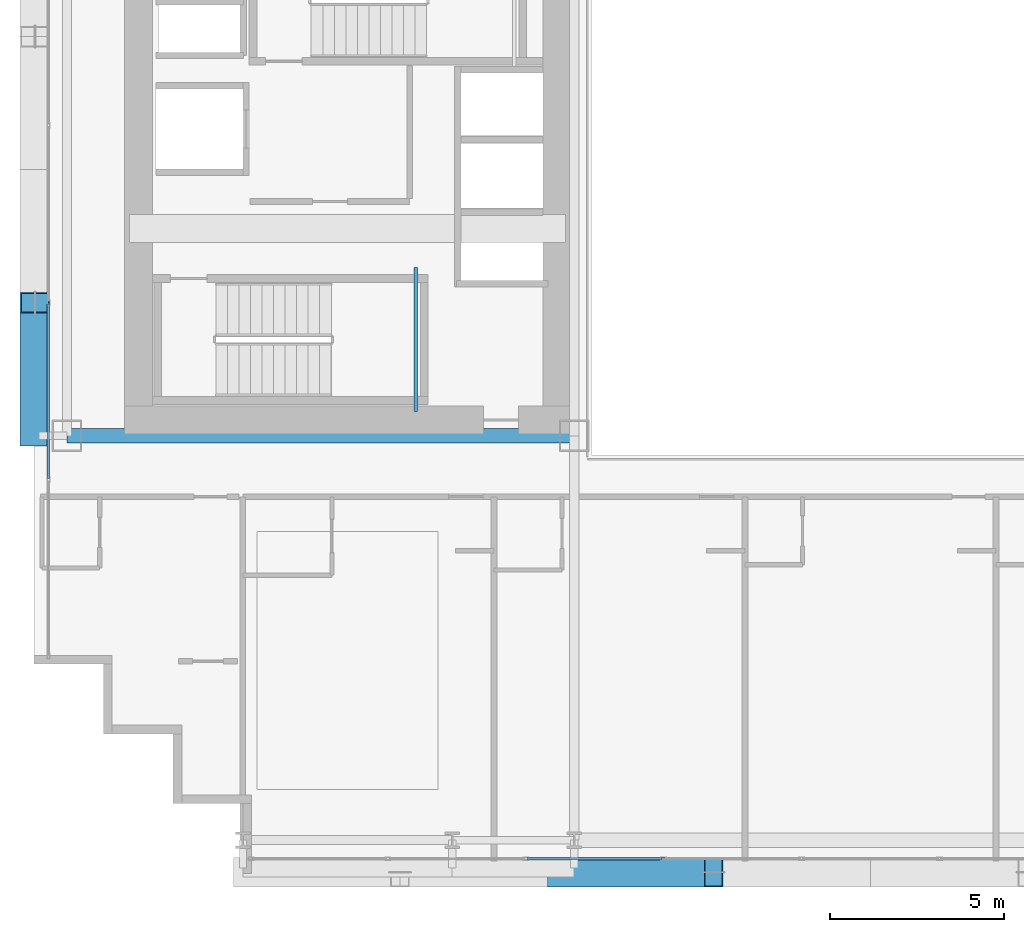
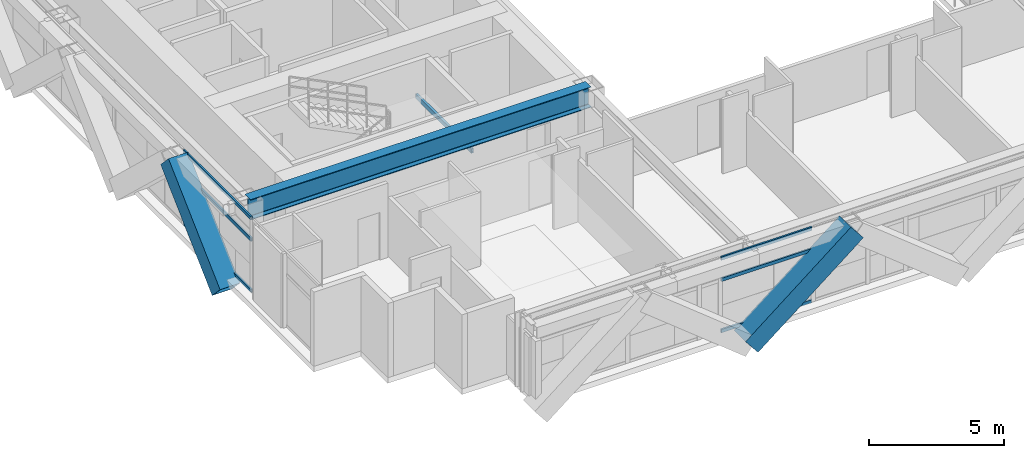
# One storey, part 4 of 35: 8 members, 2 beams, 2 elements without a shape of their own.
"""IFC4 building model written with IfcOpenShell, lengths in metres."""

from ifc_helpers import new_model, si_unit, direction, frame, origin, origin_2d, place, context, subcontext, project, spatial, hollow_rectangle, i_section, extrude, source, transform, mapped, material, layer, layer_set, material_profile, profile_set, type_object, element, aggregate, save


model = new_model("IFC4")

# Units and contexts
model_context = context("Model", 3, precision=1e-05, world=origin(), true_north=direction((0.0, 1.0)))
body_context = subcontext(model_context, "Body", "Model", "MODEL_VIEW")
ifc_project = project(units=[si_unit("LENGTHUNIT", "METRE"), si_unit("AREAUNIT", "SQUARE_METRE"), si_unit("VOLUMEUNIT", "CUBIC_METRE"), si_unit("PLANEANGLEUNIT", "RADIAN"), si_unit("MASSUNIT", "GRAM", prefix="KILO")], contexts=[model_context])

# Site, building, storey
site_placement = place(None, origin())
site = spatial("IfcSite", under=ifc_project, at=site_placement, CompositionType="ELEMENT")
building_placement = place(site_placement, origin())
building = spatial("IfcBuilding", under=site, at=building_placement, Name="Ocotamira Hotel", CompositionType="ELEMENT")
storey_placement = place(building_placement, frame((0.0, 0.0, 78.0)))
storey = spatial("IfcBuildingStorey", under=building, at=storey_placement, Name="L19", CompositionType="ELEMENT", Elevation=78.0)

# Beams
ifc_material_1 = material(Name="Steel ASTM A500 Grade C", Category="steel")
ifc_material_profile_1 = material_profile(ifc_material_1, hollow_rectangle(XDim=0.10009765625, YDim=0.199951171875, WallThickness=0.008056640625, at=origin_2d()), Name="HSS200X100X8")
ifc_profile_set_1 = profile_set([ifc_material_profile_1], Name="Steel ASTM A500 Grade C")
beam_type_1 = type_object("IfcBeamType", Name="BM-STLDG-HSS200", PredefinedType="BEAM", material=ifc_profile_set_1)
shared_shape_1 = source(origin(), body_context, "Body", "SweptSolid", [
    extrude(hollow_rectangle(XDim=0.10009765625, YDim=0.199951171875, WallThickness=0.008056640625, at=origin_2d()), origin(), (0.0, 0.0, 1.0), 4.1201171875),
])
beam_1_placement = place(storey_placement, frame((18.949951171875, 15.25, 1.5), z_axis=(0.0, 1.0, 0.0), x_axis=(-1.0, 0.0, 0.0)))
element("IfcBeam", 1, at=beam_1_placement, inside=storey, type_object=beam_type_1, Name="L19 Stair ST-1 Landing Bearer 1", PredefinedType="BEAM", context=body_context, shape_type="MappedRepresentation", body=[
    mapped(shared_shape_1, transform((0.0, 0.0, 0.0), scale=1.0)),
])
ifc_material_2 = material(Name="Steel ASTM A992 Grade 50", Category="steel")
ifc_material_profile_2 = material_profile(ifc_material_2, i_section(OverallWidth=0.41796875, OverallDepth=0.927001953125, WebThickness=0.019287109375, FlangeThickness=0.031982421875, FilletRadius=0.02392578125, at=origin_2d()), Name="W36X231")
ifc_profile_set_2 = profile_set([ifc_material_profile_2], Name="Steel ASTM A992 Grade 50")
beam_type_2 = type_object("IfcBeamType", Name="BM-GIRD-W36X231", PredefinedType="BEAM", material=ifc_profile_set_2)
shared_shape_2 = source(origin(), body_context, "Body", "SweptSolid", [
    extrude(i_section(OverallWidth=0.41796875, OverallDepth=0.927001953125, WebThickness=0.019287109375, FlangeThickness=0.031982421875, FilletRadius=0.02392578125, at=origin_2d()), origin(), (0.0, 0.0, 1.0), 14.550048828125),
])
beam_2_placement = place(storey_placement, frame((8.949951171875, 14.550048828125, 2.886474609375), z_axis=(1.0, 0.0, 0.0), x_axis=(0.0, 1.0, 0.0)))
element("IfcBeam", 2, at=beam_2_placement, inside=storey, type_object=beam_type_2, Name="L19 Girder Y14.55 X8.95-23.5", PredefinedType="BEAM", context=body_context, shape_type="MappedRepresentation", body=[
    mapped(shared_shape_2, transform((0.0, 0.0, 0.0), scale=1.0)),
])

# Members
ifc_material_3 = material(Name="Pale-metal coated steel ASTM A913 Grade 65", Category="steel")
ifc_material_profile_3 = material_profile(ifc_material_3, hollow_rectangle(XDim=0.85009765625, YDim=0.85009765625, WallThickness=0.035888671875, at=origin_2d()), Name="BOX850X850X36")
ifc_profile_set_3 = profile_set([ifc_material_profile_3], Name="Pale-metal coated steel ASTM A913 Grade 65")
member_type_1 = type_object("IfcMemberType", Name="MEM-EXO-BOX850", PredefinedType="BRACE", material=ifc_profile_set_3)
shared_shape_3 = source(origin(), body_context, "Body", "SweptSolid", [
    extrude(hollow_rectangle(XDim=0.85009765625, YDim=0.85009765625, WallThickness=0.035888671875, at=origin_2d()), origin(), (0.0, 0.0, 1.0), 5.24658203125),
])
member_1_placement = place(storey_placement, frame((8.030029296875, 14.550048828125, -0.5), z_axis=(0.0, 0.727442733726, 0.686168397078), x_axis=(-1.0, 0.0, 0.0)))
element("IfcMember", 3, at=member_1_placement, inside=storey, type_object=member_type_1, Name="L19 Exoskeleton Diagrid W0.1", PredefinedType="BRACE", context=body_context, shape_type="MappedRepresentation", body=[
    mapped(shared_shape_3, transform((0.0, 0.0, 0.0), scale=1.0)),
])
shared_shape_4 = source(origin(), body_context, "Body", "SweptSolid", [
    extrude(hollow_rectangle(XDim=0.85009765625, YDim=0.85009765625, WallThickness=0.035888671875, at=origin_2d()), origin(), (0.0, 0.0, 1.0), 5.762939453125),
])
member_2_placement = place(storey_placement, frame((23.0, 2.030029296875, -0.5), z_axis=(0.780860543151, 0.0, 0.624705380279), x_axis=(0.0, 1.0, 0.0)))
element("IfcMember", 4, at=member_2_placement, inside=storey, type_object=member_type_1, Name="L19 Exoskeleton Diagrid S1.1", PredefinedType="BRACE", context=body_context, shape_type="MappedRepresentation", body=[
    mapped(shared_shape_4, transform((0.0, 0.0, 0.0), scale=1.0)),
])

# Curtain wall, members
ifc_material_4 = material(Name="Anodised pale-metal aluminium and solar glass", Category="aluminium")
ifc_layer = layer(ifc_material_4, 0.179931640625)
ifc_layer_set = layer_set([ifc_layer], Name="Anodised pale-metal aluminium and solar glass")
curtain_wall_type = type_object("IfcCurtainWallType", Name="CW-SYS2-Z1", PredefinedType="NOTDEFINED", material=ifc_layer_set)
curtain_wall_1_placement = place(storey_placement, origin())
curtain_wall_1 = element("IfcCurtainWall", 5, at=curtain_wall_1_placement, inside=storey, type_object=curtain_wall_type, Name="L19 Curtain Wall CW-2 CW-L19-S1", PredefinedType="NOTDEFINED")
ifc_material_5 = material(Name="Anodised pale-metal aluminium 6063-T6", Category="aluminium")
ifc_material_profile_4 = material_profile(ifc_material_5, hollow_rectangle(XDim=0.074951171875, YDim=0.14990234375, WallThickness=0.006103515625, at=origin_2d()), Name="HSS150X75X6")
ifc_profile_set_4 = profile_set([ifc_material_profile_4], Name="Anodised pale-metal aluminium 6063-T6")
member_type_2 = type_object("IfcMemberType", Name="CWT-150X75", PredefinedType="USERDEFINED", material=ifc_profile_set_4)
shared_shape_5 = source(origin(), body_context, "Body", "SweptSolid", [
    extrude(hollow_rectangle(XDim=0.074951171875, YDim=0.14990234375, WallThickness=0.006103515625, at=origin_2d()), origin(), (0.0, 0.0, 1.0), 3.87548828125),
])
member_3_placement = place(storey_placement, frame((22.151123046875, 2.419921875, 0.03759765625), z_axis=(1.0, 0.0, 0.0), x_axis=(0.0, 1.0, 0.0)))
member_3 = element("IfcMember", 6, at=member_3_placement, type_object=member_type_2, Name="CW-2 transom 3.1", ObjectType="TRANSOM", PredefinedType="USERDEFINED", context=body_context, shape_type="MappedRepresentation", body=[
    mapped(shared_shape_5, transform((0.0, 0.0, 0.0), scale=1.0)),
])
member_4_placement = place(storey_placement, frame((22.151123046875, 2.419921875, 2.35009765625), z_axis=(1.0, 0.0, 0.0), x_axis=(0.0, 1.0, 0.0)))
member_4 = element("IfcMember", 7, at=member_4_placement, type_object=member_type_2, Name="CW-2 transom 3.2", ObjectType="TRANSOM", PredefinedType="USERDEFINED", context=body_context, shape_type="MappedRepresentation", body=[
    mapped(shared_shape_5, transform((0.0, 0.0, 0.0), scale=1.0)),
])
member_5_placement = place(storey_placement, frame((22.151123046875, 2.419921875, 3.3125), z_axis=(1.0, 0.0, 0.0), x_axis=(0.0, 1.0, 0.0)))
member_5 = element("IfcMember", 8, at=member_5_placement, type_object=member_type_2, Name="CW-2 transom 3.3", ObjectType="TRANSOM", PredefinedType="USERDEFINED", context=body_context, shape_type="MappedRepresentation", body=[
    mapped(shared_shape_5, transform((0.0, 0.0, 0.0), scale=1.0)),
])
aggregate(curtain_wall_1, [member_3, member_4, member_5])

curtain_wall_2_placement = place(storey_placement, origin())
curtain_wall_2 = element("IfcCurtainWall", 9, at=curtain_wall_2_placement, inside=storey, type_object=curtain_wall_type, Name="L19 Curtain Wall CW-2 CW-L19-W", PredefinedType="NOTDEFINED")
shared_shape_6 = source(origin(), body_context, "Body", "SweptSolid", [
    extrude(hollow_rectangle(XDim=0.074951171875, YDim=0.14990234375, WallThickness=0.006103515625, at=origin_2d()), origin(), (0.0, 0.0, 1.0), 5.005859375),
])
member_6_placement = place(storey_placement, frame((8.419921875, 13.32568359375, 0.03759765625), z_axis=(0.0, 1.0, 0.0), x_axis=(-1.0, 0.0, 0.0)))
member_6 = element("IfcMember", 10, at=member_6_placement, type_object=member_type_2, Name="CW-2 transom 2.1", ObjectType="TRANSOM", PredefinedType="USERDEFINED", context=body_context, shape_type="MappedRepresentation", body=[
    mapped(shared_shape_6, transform((0.0, 0.0, 0.0), scale=1.0)),
])
member_7_placement = place(storey_placement, frame((8.419921875, 13.32568359375, 2.35009765625), z_axis=(0.0, 1.0, 0.0), x_axis=(-1.0, 0.0, 0.0)))
member_7 = element("IfcMember", 11, at=member_7_placement, type_object=member_type_2, Name="CW-2 transom 2.2", ObjectType="TRANSOM", PredefinedType="USERDEFINED", context=body_context, shape_type="MappedRepresentation", body=[
    mapped(shared_shape_6, transform((0.0, 0.0, 0.0), scale=1.0)),
])
member_8_placement = place(storey_placement, frame((8.419921875, 13.32568359375, 3.3125), z_axis=(0.0, 1.0, 0.0), x_axis=(-1.0, 0.0, 0.0)))
member_8 = element("IfcMember", 12, at=member_8_placement, type_object=member_type_2, Name="CW-2 transom 2.3", ObjectType="TRANSOM", PredefinedType="USERDEFINED", context=body_context, shape_type="MappedRepresentation", body=[
    mapped(shared_shape_6, transform((0.0, 0.0, 0.0), scale=1.0)),
])
aggregate(curtain_wall_2, [member_6, member_7, member_8])

save(model, "model.ifc")
